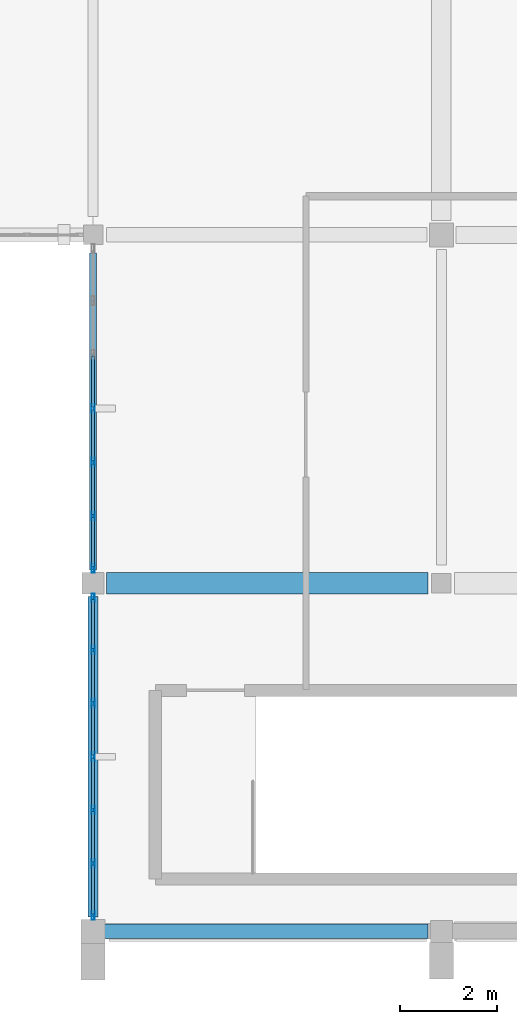
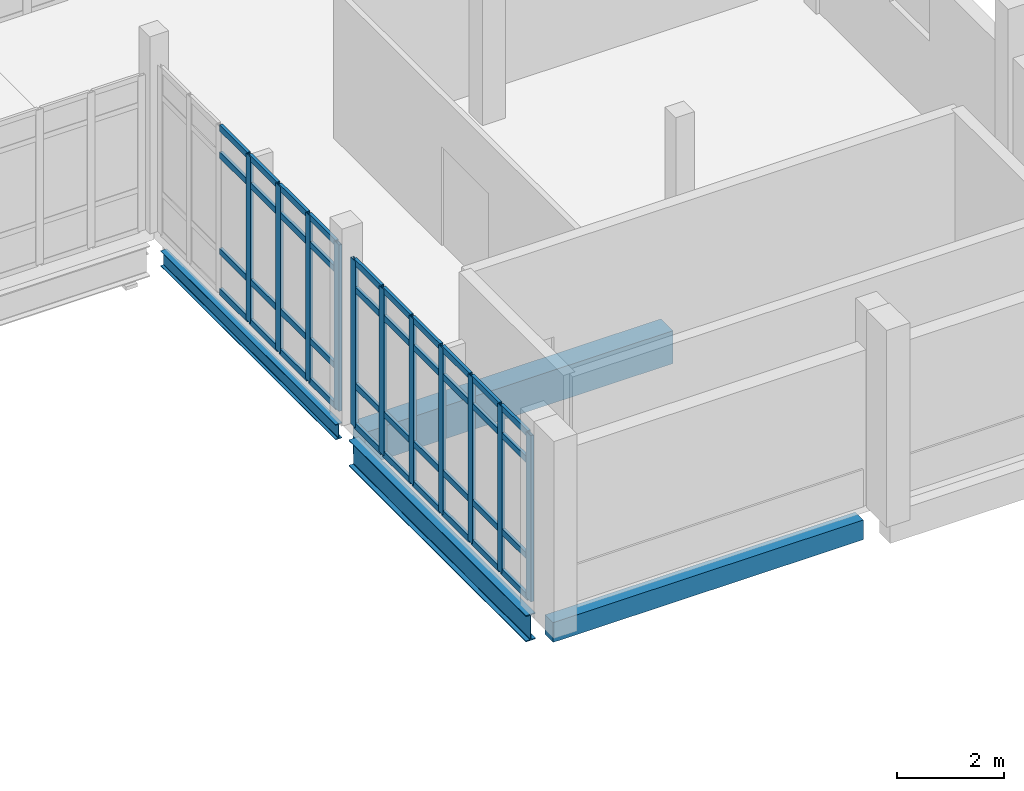
# One storey, part 44 of 116: 51 members, 4 beams, 2 elements without a shape of their own.
"""IFC4 building model written with IfcOpenShell, lengths in metres."""

import ifcopenshell
import ifcopenshell.guid

model = None  # the IFC model being written
_history = None  # IfcOwnerHistory: only IFC2X3 demands one
_inside = {}  # id of a spatial element -> (the spatial element, [elements in it])
_under = {}  # id of a project, library or spatial element -> (it, [spatial elements below it])
_declared = {}  # id of a project -> (the project, [libraries it declares])
_typed = {}  # id of a type object -> (the type object, [elements of that type])
_made_of = {}  # id of a material, layer set ... -> (it, [elements and type objects made of it])


def new_model(schema):
    """Start an empty IFC model of exactly this schema.

    Asked for "IFC4X3", IfcOpenShell would pick the latest addendum, in which some entities
    have other attributes; the version numbers below select the first issue.
    IFC2X3 requires an IfcOwnerHistory on every rooted entity: one is made here for all.
    """
    global model, _history
    if schema == "IFC4X3":
        model = ifcopenshell.file(schema_version=(4, 3, 0, 0))
    else:
        model = ifcopenshell.file(schema=schema)
    _inside.clear()
    _under.clear()
    _declared.clear()
    _typed.clear()
    _made_of.clear()
    _history = None
    if model.schema == "IFC2X3":
        org = make("IfcOrganization", Name="unknown")
        user = make(
            "IfcPersonAndOrganization",
            ThePerson=make("IfcPerson", FamilyName="unknown"),
            TheOrganization=org,
        )
        app = make(
            "IfcApplication",
            ApplicationDeveloper=org,
            Version="unknown",
            ApplicationFullName="unknown",
            ApplicationIdentifier="unknown",
        )
        _history = make(
            "IfcOwnerHistory",
            OwningUser=user,
            OwningApplication=app,
            ChangeAction="ADDED",
            CreationDate=0,
        )
    return model


def make(cls, **values):
    """One entity of the class cls with the attributes given. An attribute that is None is left unset."""
    return model.create_entity(
        cls, **{name: value for name, value in values.items() if value is not None}
    )


def rooted(cls, **values):
    """An entity with a GlobalId (a new one), such as an element, a storey or a relation."""
    return make(cls, GlobalId=ifcopenshell.guid.new(), OwnerHistory=_history, **values)


def si_unit(unit_type, name, prefix=None):
    """IfcSIUnit, for example si_unit("LENGTHUNIT", "METRE", prefix="MILLI")."""
    return make("IfcSIUnit", UnitType=unit_type, Prefix=prefix, Name=name)


def assignment(units):
    """IfcUnitAssignment: the units of a project."""
    return None if units is None else make("IfcUnitAssignment", Units=units)


def point(xyz):
    """IfcCartesianPoint."""
    return None if xyz is None else make("IfcCartesianPoint", Coordinates=xyz)


def direction(xyz):
    """IfcDirection."""
    return None if xyz is None else make("IfcDirection", DirectionRatios=xyz)


def frame(location, z_axis=None, x_axis=None):
    """IfcAxis2Placement3D, a coordinate frame: its origin and axes. An axis left out is left unset."""
    return make(
        "IfcAxis2Placement3D",
        Location=point(location),
        Axis=direction(z_axis),
        RefDirection=direction(x_axis),
    )


def frame_2d(location, x_axis=None):
    """IfcAxis2Placement2D, a coordinate frame in the plane: its origin and x axis."""
    return make(
        "IfcAxis2Placement2D", Location=point(location), RefDirection=direction(x_axis)
    )


def origin():
    """The frame at (0, 0, 0) with its axes left unset."""
    return frame((0.0, 0.0, 0.0))


def origin_2d():
    """The frame at (0, 0) in the plane with its x axis left unset."""
    return frame_2d((0.0, 0.0))


def place(relative_to, where):
    """IfcLocalPlacement: puts the frame where relative to a parent placement (None: the world)."""
    return make(
        "IfcLocalPlacement", PlacementRelTo=relative_to, RelativePlacement=where
    )


def context(
    kind, dimensions, precision=None, world=None, true_north=None, identifier=None
):
    """IfcGeometricRepresentationContext, for example the 3D "Model" context."""
    return make(
        "IfcGeometricRepresentationContext",
        ContextIdentifier=identifier,
        ContextType=kind,
        CoordinateSpaceDimension=dimensions,
        Precision=precision,
        WorldCoordinateSystem=world,
        TrueNorth=true_north,
    )


def subcontext(parent, identifier, kind, view, scale=None):
    """IfcGeometricRepresentationSubContext, for example "Body" below "Model"."""
    return make(
        "IfcGeometricRepresentationSubContext",
        ContextIdentifier=identifier,
        ContextType=kind,
        ParentContext=parent,
        TargetScale=scale,
        TargetView=view,
    )


def project(units=None, contexts=None):
    """IfcProject with its units and contexts."""
    return rooted(
        "IfcProject",
        Name="project",
        RepresentationContexts=contexts,
        UnitsInContext=assignment(units),
    )


def spatial(cls, under=None, at=None, **own):
    """A site, building, storey or space (cls), placed at a placement, below another one or the project."""
    s = rooted(cls, ObjectPlacement=at, **own)
    if under is not None:
        _under.setdefault(under.id(), (under, []))[1].append(s)
    return s


def profile(cls, at=None, kind="AREA", **sizes):
    """A parametric profile (cls). Its sizes go by their IFC names, for example OverallWidth=200.0."""
    return make(cls, ProfileType=kind, Position=at, **sizes)


def rectangle(**sizes):
    """IfcRectangleProfileDef."""
    return profile("IfcRectangleProfileDef", **sizes)


def hollow_rectangle(**sizes):
    """IfcRectangleHollowProfileDef."""
    return profile("IfcRectangleHollowProfileDef", **sizes)


def i_section(**sizes):
    """IfcIShapeProfileDef."""
    return profile("IfcIShapeProfileDef", **sizes)


def extrude(swept, where, along, depth):
    """IfcExtrudedAreaSolid: the profile swept, set in the frame where, extruded along a direction by depth."""
    return make(
        "IfcExtrudedAreaSolid",
        SweptArea=swept,
        Position=where,
        ExtrudedDirection=direction(along),
        Depth=depth,
    )


def shape(context_of_items, identifier, shape_type, items):
    """IfcShapeRepresentation: the items that make up one representation, for example the "Body"."""
    return make(
        "IfcShapeRepresentation",
        ContextOfItems=context_of_items,
        RepresentationIdentifier=identifier,
        RepresentationType=shape_type,
        Items=items,
    )


def material(Name=None, Category=None):
    """IfcMaterial."""
    return make("IfcMaterial", Name=Name, Category=Category)


def material_profile(
    of_material, cross_section, Name=None, Category=None, Priority=None
):
    """IfcMaterialProfile: a cross section and its material."""
    return make(
        "IfcMaterialProfile",
        Name=Name,
        Material=of_material,
        Profile=cross_section,
        Priority=Priority,
        Category=Category,
    )


def profile_set(profiles, Name=None, composite=None):
    """IfcMaterialProfileSet."""
    return make(
        "IfcMaterialProfileSet",
        Name=Name,
        MaterialProfiles=profiles,
        CompositeProfile=composite,
    )


def made_of(thing, what):
    """Note that an element or type object is made of a material, layer set ...; save() writes the relation."""
    if what is not None:
        _made_of.setdefault(what.id(), (what, []))[1].append(thing)
    return thing


def type_object(cls, material=None, **own):
    """A type object (cls), such as IfcWallType, which elements share."""
    return made_of(rooted(cls, **own), material)


def element(
    cls,
    number,
    at=None,
    inside=None,
    cuts=None,
    type_object=None,
    material=None,
    context=None,
    identifier="Body",
    shape_type=None,
    held_by="IfcProductDefinitionShape",
    body=None,
    shapes=None,
    **own,
):
    """One element of the class cls, such as IfcWall. Its Tag is "e" and its number.

    at: its placement. inside: the storey or other place that contains it. cuts: it is an
    opening in that element (IfcRelVoidsElement). A single representation is given by context,
    identifier, shape_type and body (its items); several are given by shapes. held_by: the class
    of the entity that holds the representations. save() writes the other relations.
    """
    e = rooted(cls, Tag="e%d" % number, ObjectPlacement=at, **own)
    if body is not None:
        shapes = [shape(context, identifier, shape_type, body)]
    if shapes is not None:
        e.Representation = make(held_by, Representations=shapes)
    if inside is not None:
        _inside.setdefault(inside.id(), (inside, []))[1].append(e)
    if cuts is not None:
        rooted(
            "IfcRelVoidsElement", RelatingBuildingElement=cuts, RelatedOpeningElement=e
        )
    if type_object is not None:
        _typed.setdefault(type_object.id(), (type_object, []))[1].append(e)
    return made_of(e, material)


def aggregate(whole, parts):
    """IfcRelAggregates: a whole, such as a stair, and the parts it consists of."""
    return rooted("IfcRelAggregates", RelatingObject=whole, RelatedObjects=parts)


def save(model, path):
    """Write the relations noted so far, then the file.

    IfcRelAggregates (storeys below a building ...), IfcRelContainedInSpatialStructure (elements
    in a storey), IfcRelDefinesByType, IfcRelAssociatesMaterial and IfcRelDeclares: one each for
    every whole, place, type object, material and project.
    """
    for whole, parts in _under.values():
        aggregate(whole, parts)
    for where, things in _inside.values():
        rooted(
            "IfcRelContainedInSpatialStructure",
            RelatedElements=things,
            RelatingStructure=where,
        )
    for kind, things in _typed.values():
        rooted("IfcRelDefinesByType", RelatedObjects=things, RelatingType=kind)
    for what, things in _made_of.values():
        rooted("IfcRelAssociatesMaterial", RelatedObjects=things, RelatingMaterial=what)
    for by, libraries in _declared.values():
        rooted("IfcRelDeclares", RelatingContext=by, RelatedDefinitions=libraries)
    model.write(path)


model = new_model("IFC4")

# Units and contexts
model_context = context("Model", 3, precision=1e-05, world=origin(), true_north=direction((0.0, 1.0)))
body_context = subcontext(model_context, "Body", "Model", "MODEL_VIEW")
ifc_project = project(units=[si_unit("LENGTHUNIT", "METRE"), si_unit("AREAUNIT", "SQUARE_METRE"), si_unit("VOLUMEUNIT", "CUBIC_METRE"), si_unit("PLANEANGLEUNIT", "RADIAN"), si_unit("MASSUNIT", "GRAM", prefix="KILO")], contexts=[model_context])

# Site, building, storey
site_placement = place(None, origin())
site = spatial("IfcSite", under=ifc_project, at=site_placement, CompositionType="ELEMENT")
building_placement = place(site_placement, origin())
building = spatial("IfcBuilding", under=site, at=building_placement, Name="Kalluvel Institute of Natural Sciences", CompositionType="ELEMENT")
storey_placement = place(building_placement, frame((0.0, 0.0, 14.39990234375)))
storey = spatial("IfcBuildingStorey", under=building, at=storey_placement, Name="L03", CompositionType="ELEMENT", Elevation=14.39990234375)

# Beams
ifc_material_1 = material(Name="Steel E350 Grade 350", Category="steel")
ifc_material_profile_1 = material_profile(ifc_material_1, i_section(OverallWidth=0.139892578125, OverallDepth=0.35009765625, WebThickness=0.008056640625, FlangeThickness=0.01416015625, FilletRadius=0.013916015625, at=origin_2d()), Name="ISMB 350")
ifc_profile_set_1 = profile_set([ifc_material_profile_1], Name="Steel E350 Grade 350")
beam_type_1 = type_object("IfcBeamType", Name="BM-ISMB350", PredefinedType="BEAM", material=ifc_profile_set_1)
beam_1_placement = place(storey_placement, frame((100.39990234375, 21.47509765625, -0.494873046875), z_axis=(0.0, 1.0, 0.0), x_axis=(-1.0, 0.0, 0.0)))
element("IfcBeam", 1, at=beam_1_placement, inside=storey, type_object=beam_type_1, Name="L03 girder GIR-L03-NS-X1004-Y212", PredefinedType="BEAM", context=body_context, shape_type="SweptSolid", body=[
    extrude(i_section(OverallWidth=0.139892578125, OverallDepth=0.35009765625, WebThickness=0.008056640625, FlangeThickness=0.01416015625, FilletRadius=0.013916015625, at=origin_2d()), origin(), (0.0, 0.0, 1.0), 6.5498046875),
])
ifc_material_profile_2 = material_profile(ifc_material_1, i_section(OverallWidth=0.2099609375, OverallDepth=0.60009765625, WebThickness=0.011962890625, FlangeThickness=0.020751953125, FilletRadius=0.02001953125, at=origin_2d()), Name="ISMB 600")
ifc_profile_set_2 = profile_set([ifc_material_profile_2], Name="Steel E350 Grade 350")
beam_type_2 = type_object("IfcBeamType", Name="BM-ISMB600", PredefinedType="BEAM", material=ifc_profile_set_2)
beam_2_placement = place(storey_placement, frame((100.39990234375, 14.300048828125, -0.619873046875), z_axis=(0.0, 1.0, 0.0), x_axis=(-1.0, 0.0, 0.0)))
element("IfcBeam", 2, at=beam_2_placement, inside=storey, type_object=beam_type_2, Name="L03 girder GIR-L03-NS-X1004-Y140", PredefinedType="BEAM", context=body_context, shape_type="SweptSolid", body=[
    extrude(i_section(OverallWidth=0.2099609375, OverallDepth=0.60009765625, WebThickness=0.011962890625, FlangeThickness=0.020751953125, FilletRadius=0.02001953125, at=origin_2d()), origin(), (0.0, 0.0, 1.0), 6.625),
])
ifc_material_2 = material(Name="Concrete M40", Category="concrete")
ifc_material_profile_3 = material_profile(ifc_material_2, rectangle(XDim=0.449951171875, YDim=0.75, at=origin_2d()), Name="RCB 450x750")
ifc_profile_set_3 = profile_set([ifc_material_profile_3], Name="Concrete M40")
beam_type_3 = type_object("IfcBeamType", Name="BM-RC450x750", PredefinedType="BEAM", material=ifc_profile_set_3)
beam_3_placement = place(storey_placement, frame((100.675048828125, 21.199951171875, -0.69482421875), z_axis=(1.0, 0.0, 0.0), x_axis=(0.0, 1.0, 0.0)))
element("IfcBeam", 3, at=beam_3_placement, inside=storey, type_object=beam_type_3, Name="L03 girder GIR-L03-EW-X1004-Y212", PredefinedType="BEAM", context=body_context, shape_type="SweptSolid", body=[
    extrude(rectangle(XDim=0.449951171875, YDim=0.75, at=origin_2d()), origin(), (0.0, 0.0, 1.0), 6.64990234375),
])

# Curtain wall, members
ifc_material_3 = material(Name="Aluminium AW-6063 T6", Category="aluminium")
curtain_wall_type = type_object("IfcCurtainWallType", Name="CW-SPAV-45", PredefinedType="USERDEFINED", material=ifc_material_3)
curtain_wall_1_placement = place(storey_placement, origin())
curtain_wall_1 = element("IfcCurtainWall", 4, at=curtain_wall_1_placement, inside=storey, type_object=curtain_wall_type, Name="L03 Gothic lancet curtain wall CWA-L03-X1004-Y143", ObjectType="UNITISED LANCET FACADE", PredefinedType="USERDEFINED")
ifc_material_profile_4 = material_profile(ifc_material_3, hollow_rectangle(XDim=0.06494140625, YDim=0.179931640625, WallThickness=0.00439453125, at=origin_2d()), Name="CWM 65x180")
ifc_profile_set_4 = profile_set([ifc_material_profile_4], Name="Aluminium AW-6063 T6")
member_type_1 = type_object("IfcMemberType", Name="CWM-65x180", PredefinedType="MULLION", material=ifc_profile_set_4)
member_1_placement = place(storey_placement, frame((100.39990234375, 14.33251953125, 0.0), z_axis=(0.0, 0.0, 1.0), x_axis=(-1.0, 0.0, 0.0)))
member_1 = element("IfcMember", 5, at=member_1_placement, type_object=member_type_1, Name="CW-10 mullion 1", PredefinedType="MULLION", context=body_context, shape_type="SweptSolid", body=[
    extrude(hollow_rectangle(XDim=0.06494140625, YDim=0.179931640625, WallThickness=0.00439453125, at=origin_2d()), origin(), (0.0, 0.0, 1.0), 3.800048828125),
])
member_2_placement = place(storey_placement, frame((100.39990234375, 15.404052734375, 0.0), z_axis=(0.0, 0.0, 1.0), x_axis=(-1.0, 0.0, 0.0)))
member_2 = element("IfcMember", 6, at=member_2_placement, type_object=member_type_1, Name="CW-10 mullion 2", PredefinedType="MULLION", context=body_context, shape_type="SweptSolid", body=[
    extrude(hollow_rectangle(XDim=0.06494140625, YDim=0.179931640625, WallThickness=0.00439453125, at=origin_2d()), origin(), (0.0, 0.0, 1.0), 3.800048828125),
])
member_3_placement = place(storey_placement, frame((100.39990234375, 16.50830078125, 0.0), z_axis=(0.0, 0.0, 1.0), x_axis=(-1.0, 0.0, 0.0)))
member_3 = element("IfcMember", 7, at=member_3_placement, type_object=member_type_1, Name="CW-10 mullion 3", PredefinedType="MULLION", context=body_context, shape_type="SweptSolid", body=[
    extrude(hollow_rectangle(XDim=0.06494140625, YDim=0.179931640625, WallThickness=0.00439453125, at=origin_2d()), origin(), (0.0, 0.0, 1.0), 3.800048828125),
])
member_4_placement = place(storey_placement, frame((100.39990234375, 17.612548828125, 0.0), z_axis=(0.0, 0.0, 1.0), x_axis=(-1.0, 0.0, 0.0)))
member_4 = element("IfcMember", 8, at=member_4_placement, type_object=member_type_1, Name="CW-10 mullion 4", PredefinedType="MULLION", context=body_context, shape_type="SweptSolid", body=[
    extrude(hollow_rectangle(XDim=0.06494140625, YDim=0.179931640625, WallThickness=0.00439453125, at=origin_2d()), origin(), (0.0, 0.0, 1.0), 3.800048828125),
])
member_5_placement = place(storey_placement, frame((100.39990234375, 18.716552734375, 0.0), z_axis=(0.0, 0.0, 1.0), x_axis=(-1.0, 0.0, 0.0)))
member_5 = element("IfcMember", 9, at=member_5_placement, type_object=member_type_1, Name="CW-10 mullion 5", PredefinedType="MULLION", context=body_context, shape_type="SweptSolid", body=[
    extrude(hollow_rectangle(XDim=0.06494140625, YDim=0.179931640625, WallThickness=0.00439453125, at=origin_2d()), origin(), (0.0, 0.0, 1.0), 3.800048828125),
])
member_6_placement = place(storey_placement, frame((100.39990234375, 19.82080078125, 0.0), z_axis=(0.0, 0.0, 1.0), x_axis=(-1.0, 0.0, 0.0)))
member_6 = element("IfcMember", 10, at=member_6_placement, type_object=member_type_1, Name="CW-10 mullion 6", PredefinedType="MULLION", context=body_context, shape_type="SweptSolid", body=[
    extrude(hollow_rectangle(XDim=0.06494140625, YDim=0.179931640625, WallThickness=0.00439453125, at=origin_2d()), origin(), (0.0, 0.0, 1.0), 3.800048828125),
])
member_7_placement = place(storey_placement, frame((100.39990234375, 20.892578125, 0.0), z_axis=(0.0, 0.0, 1.0), x_axis=(-1.0, 0.0, 0.0)))
member_7 = element("IfcMember", 11, at=member_7_placement, type_object=member_type_1, Name="CW-10 mullion 7", PredefinedType="MULLION", context=body_context, shape_type="SweptSolid", body=[
    extrude(hollow_rectangle(XDim=0.06494140625, YDim=0.179931640625, WallThickness=0.00439453125, at=origin_2d()), origin(), (0.0, 0.0, 1.0), 3.800048828125),
])

curtain_wall_2_placement = place(storey_placement, origin())
curtain_wall_2 = element("IfcCurtainWall", 12, at=curtain_wall_2_placement, inside=storey, type_object=curtain_wall_type, Name="L03 Gothic lancet curtain wall CWA-L03-X1004-Y215", ObjectType="UNITISED LANCET FACADE", PredefinedType="USERDEFINED")
member_8_placement = place(storey_placement, frame((100.39990234375, 21.507568359375, 0.0), z_axis=(0.0, 0.0, 1.0), x_axis=(-1.0, 0.0, 0.0)))
member_8 = element("IfcMember", 13, at=member_8_placement, type_object=member_type_1, Name="CW-10 mullion 1", PredefinedType="MULLION", context=body_context, shape_type="SweptSolid", body=[
    extrude(hollow_rectangle(XDim=0.06494140625, YDim=0.179931640625, WallThickness=0.00439453125, at=origin_2d()), origin(), (0.0, 0.0, 1.0), 3.800048828125),
])
member_9_placement = place(storey_placement, frame((100.39990234375, 22.58740234375, 0.0), z_axis=(0.0, 0.0, 1.0), x_axis=(-1.0, 0.0, 0.0)))
member_9 = element("IfcMember", 14, at=member_9_placement, type_object=member_type_1, Name="CW-10 mullion 2", PredefinedType="MULLION", context=body_context, shape_type="SweptSolid", body=[
    extrude(hollow_rectangle(XDim=0.06494140625, YDim=0.179931640625, WallThickness=0.00439453125, at=origin_2d()), origin(), (0.0, 0.0, 1.0), 3.800048828125),
])
member_10_placement = place(storey_placement, frame((100.39990234375, 23.699951171875, 0.0), z_axis=(0.0, 0.0, 1.0), x_axis=(-1.0, 0.0, 0.0)))
member_10 = element("IfcMember", 15, at=member_10_placement, type_object=member_type_1, Name="CW-10 mullion 3", PredefinedType="MULLION", context=body_context, shape_type="SweptSolid", body=[
    extrude(hollow_rectangle(XDim=0.06494140625, YDim=0.179931640625, WallThickness=0.00439453125, at=origin_2d()), origin(), (0.0, 0.0, 1.0), 3.800048828125),
])
member_11_placement = place(storey_placement, frame((100.39990234375, 24.8125, 0.0), z_axis=(0.0, 0.0, 1.0), x_axis=(-1.0, 0.0, 0.0)))
member_11 = element("IfcMember", 16, at=member_11_placement, type_object=member_type_1, Name="CW-10 mullion 4", PredefinedType="MULLION", context=body_context, shape_type="SweptSolid", body=[
    extrude(hollow_rectangle(XDim=0.06494140625, YDim=0.179931640625, WallThickness=0.00439453125, at=origin_2d()), origin(), (0.0, 0.0, 1.0), 3.800048828125),
])

# Member
ifc_material_profile_5 = material_profile(ifc_material_3, hollow_rectangle(XDim=0.06494140625, YDim=0.139892578125, WallThickness=0.00439453125, at=origin_2d()), Name="CWT 65x140")
ifc_profile_set_5 = profile_set([ifc_material_profile_5], Name="Aluminium AW-6063 T6")
member_type_2 = type_object("IfcMemberType", Name="CWT-65x140", PredefinedType="USERDEFINED", material=ifc_profile_set_5)
member_12_placement = place(storey_placement, frame((100.39990234375, 14.364990234375, 0.03271484375), z_axis=(0.0, 1.0, 0.0), x_axis=(-1.0, 0.0, 0.0)))
member_12 = element("IfcMember", 17, at=member_12_placement, type_object=member_type_2, Name="CW-10 transom 1.1", ObjectType="TRANSOM", PredefinedType="USERDEFINED", context=body_context, shape_type="SweptSolid", body=[
    extrude(hollow_rectangle(XDim=0.06494140625, YDim=0.139892578125, WallThickness=0.00439453125, at=origin_2d()), origin(), (0.0, 0.0, 1.0), 1.006591796875),
])

member_13_placement = place(storey_placement, frame((100.39990234375, 14.364990234375, 0.9501953125), z_axis=(0.0, 1.0, 0.0), x_axis=(-1.0, 0.0, 0.0)))
member_13 = element("IfcMember", 18, at=member_13_placement, type_object=member_type_2, Name="CW-10 transom 1.2", ObjectType="TRANSOM", PredefinedType="USERDEFINED", context=body_context, shape_type="SweptSolid", body=[
    extrude(hollow_rectangle(XDim=0.06494140625, YDim=0.139892578125, WallThickness=0.00439453125, at=origin_2d()), origin(), (0.0, 0.0, 1.0), 1.006591796875),
])

member_14_placement = place(storey_placement, frame((100.39990234375, 14.364990234375, 3.150146484375), z_axis=(0.0, 1.0, 0.0), x_axis=(-1.0, 0.0, 0.0)))
member_14 = element("IfcMember", 19, at=member_14_placement, type_object=member_type_2, Name="CW-10 transom 1.3", ObjectType="TRANSOM", PredefinedType="USERDEFINED", context=body_context, shape_type="SweptSolid", body=[
    extrude(hollow_rectangle(XDim=0.06494140625, YDim=0.139892578125, WallThickness=0.00439453125, at=origin_2d()), origin(), (0.0, 0.0, 1.0), 1.006591796875),
])

member_15_placement = place(storey_placement, frame((100.39990234375, 14.364990234375, 3.767578125), z_axis=(0.0, 1.0, 0.0), x_axis=(-1.0, 0.0, 0.0)))
member_15 = element("IfcMember", 20, at=member_15_placement, type_object=member_type_2, Name="CW-10 transom 1.4", ObjectType="TRANSOM", PredefinedType="USERDEFINED", context=body_context, shape_type="SweptSolid", body=[
    extrude(hollow_rectangle(XDim=0.06494140625, YDim=0.139892578125, WallThickness=0.00439453125, at=origin_2d()), origin(), (0.0, 0.0, 1.0), 1.006591796875),
])

member_16_placement = place(storey_placement, frame((100.39990234375, 15.436767578125, 0.03271484375), z_axis=(0.0, 1.0, 0.0), x_axis=(-1.0, 0.0, 0.0)))
member_16 = element("IfcMember", 21, at=member_16_placement, type_object=member_type_2, Name="CW-10 transom 2.1", ObjectType="TRANSOM", PredefinedType="USERDEFINED", context=body_context, shape_type="SweptSolid", body=[
    extrude(hollow_rectangle(XDim=0.06494140625, YDim=0.139892578125, WallThickness=0.00439453125, at=origin_2d()), origin(), (0.0, 0.0, 1.0), 1.0390625),
])

member_17_placement = place(storey_placement, frame((100.39990234375, 15.436767578125, 0.9501953125), z_axis=(0.0, 1.0, 0.0), x_axis=(-1.0, 0.0, 0.0)))
member_17 = element("IfcMember", 22, at=member_17_placement, type_object=member_type_2, Name="CW-10 transom 2.2", ObjectType="TRANSOM", PredefinedType="USERDEFINED", context=body_context, shape_type="SweptSolid", body=[
    extrude(hollow_rectangle(XDim=0.06494140625, YDim=0.139892578125, WallThickness=0.00439453125, at=origin_2d()), origin(), (0.0, 0.0, 1.0), 1.0390625),
])

member_18_placement = place(storey_placement, frame((100.39990234375, 15.436767578125, 3.150146484375), z_axis=(0.0, 1.0, 0.0), x_axis=(-1.0, 0.0, 0.0)))
member_18 = element("IfcMember", 23, at=member_18_placement, type_object=member_type_2, Name="CW-10 transom 2.3", ObjectType="TRANSOM", PredefinedType="USERDEFINED", context=body_context, shape_type="SweptSolid", body=[
    extrude(hollow_rectangle(XDim=0.06494140625, YDim=0.139892578125, WallThickness=0.00439453125, at=origin_2d()), origin(), (0.0, 0.0, 1.0), 1.0390625),
])

member_19_placement = place(storey_placement, frame((100.39990234375, 15.436767578125, 3.767578125), z_axis=(0.0, 1.0, 0.0), x_axis=(-1.0, 0.0, 0.0)))
member_19 = element("IfcMember", 24, at=member_19_placement, type_object=member_type_2, Name="CW-10 transom 2.4", ObjectType="TRANSOM", PredefinedType="USERDEFINED", context=body_context, shape_type="SweptSolid", body=[
    extrude(hollow_rectangle(XDim=0.06494140625, YDim=0.139892578125, WallThickness=0.00439453125, at=origin_2d()), origin(), (0.0, 0.0, 1.0), 1.0390625),
])

member_20_placement = place(storey_placement, frame((100.39990234375, 16.540771484375, 0.03271484375), z_axis=(0.0, 1.0, 0.0), x_axis=(-1.0, 0.0, 0.0)))
member_20 = element("IfcMember", 25, at=member_20_placement, type_object=member_type_2, Name="CW-10 transom 3.1", ObjectType="TRANSOM", PredefinedType="USERDEFINED", context=body_context, shape_type="SweptSolid", body=[
    extrude(hollow_rectangle(XDim=0.06494140625, YDim=0.139892578125, WallThickness=0.00439453125, at=origin_2d()), origin(), (0.0, 0.0, 1.0), 1.039306640625),
])

member_21_placement = place(storey_placement, frame((100.39990234375, 16.540771484375, 0.9501953125), z_axis=(0.0, 1.0, 0.0), x_axis=(-1.0, 0.0, 0.0)))
member_21 = element("IfcMember", 26, at=member_21_placement, type_object=member_type_2, Name="CW-10 transom 3.2", ObjectType="TRANSOM", PredefinedType="USERDEFINED", context=body_context, shape_type="SweptSolid", body=[
    extrude(hollow_rectangle(XDim=0.06494140625, YDim=0.139892578125, WallThickness=0.00439453125, at=origin_2d()), origin(), (0.0, 0.0, 1.0), 1.039306640625),
])

member_22_placement = place(storey_placement, frame((100.39990234375, 16.540771484375, 3.150146484375), z_axis=(0.0, 1.0, 0.0), x_axis=(-1.0, 0.0, 0.0)))
member_22 = element("IfcMember", 27, at=member_22_placement, type_object=member_type_2, Name="CW-10 transom 3.3", ObjectType="TRANSOM", PredefinedType="USERDEFINED", context=body_context, shape_type="SweptSolid", body=[
    extrude(hollow_rectangle(XDim=0.06494140625, YDim=0.139892578125, WallThickness=0.00439453125, at=origin_2d()), origin(), (0.0, 0.0, 1.0), 1.039306640625),
])

member_23_placement = place(storey_placement, frame((100.39990234375, 16.540771484375, 3.767578125), z_axis=(0.0, 1.0, 0.0), x_axis=(-1.0, 0.0, 0.0)))
member_23 = element("IfcMember", 28, at=member_23_placement, type_object=member_type_2, Name="CW-10 transom 3.4", ObjectType="TRANSOM", PredefinedType="USERDEFINED", context=body_context, shape_type="SweptSolid", body=[
    extrude(hollow_rectangle(XDim=0.06494140625, YDim=0.139892578125, WallThickness=0.00439453125, at=origin_2d()), origin(), (0.0, 0.0, 1.0), 1.039306640625),
])

member_24_placement = place(storey_placement, frame((100.39990234375, 17.64501953125, 0.03271484375), z_axis=(0.0, 1.0, 0.0), x_axis=(-1.0, 0.0, 0.0)))
member_24 = element("IfcMember", 29, at=member_24_placement, type_object=member_type_2, Name="CW-10 transom 4.1", ObjectType="TRANSOM", PredefinedType="USERDEFINED", context=body_context, shape_type="SweptSolid", body=[
    extrude(hollow_rectangle(XDim=0.06494140625, YDim=0.139892578125, WallThickness=0.00439453125, at=origin_2d()), origin(), (0.0, 0.0, 1.0), 1.0390625),
])

member_25_placement = place(storey_placement, frame((100.39990234375, 17.64501953125, 0.9501953125), z_axis=(0.0, 1.0, 0.0), x_axis=(-1.0, 0.0, 0.0)))
member_25 = element("IfcMember", 30, at=member_25_placement, type_object=member_type_2, Name="CW-10 transom 4.2", ObjectType="TRANSOM", PredefinedType="USERDEFINED", context=body_context, shape_type="SweptSolid", body=[
    extrude(hollow_rectangle(XDim=0.06494140625, YDim=0.139892578125, WallThickness=0.00439453125, at=origin_2d()), origin(), (0.0, 0.0, 1.0), 1.0390625),
])

member_26_placement = place(storey_placement, frame((100.39990234375, 17.64501953125, 3.150146484375), z_axis=(0.0, 1.0, 0.0), x_axis=(-1.0, 0.0, 0.0)))
member_26 = element("IfcMember", 31, at=member_26_placement, type_object=member_type_2, Name="CW-10 transom 4.3", ObjectType="TRANSOM", PredefinedType="USERDEFINED", context=body_context, shape_type="SweptSolid", body=[
    extrude(hollow_rectangle(XDim=0.06494140625, YDim=0.139892578125, WallThickness=0.00439453125, at=origin_2d()), origin(), (0.0, 0.0, 1.0), 1.0390625),
])

member_27_placement = place(storey_placement, frame((100.39990234375, 17.64501953125, 3.767578125), z_axis=(0.0, 1.0, 0.0), x_axis=(-1.0, 0.0, 0.0)))
member_27 = element("IfcMember", 32, at=member_27_placement, type_object=member_type_2, Name="CW-10 transom 4.4", ObjectType="TRANSOM", PredefinedType="USERDEFINED", context=body_context, shape_type="SweptSolid", body=[
    extrude(hollow_rectangle(XDim=0.06494140625, YDim=0.139892578125, WallThickness=0.00439453125, at=origin_2d()), origin(), (0.0, 0.0, 1.0), 1.0390625),
])

member_28_placement = place(storey_placement, frame((100.39990234375, 18.749267578125, 0.03271484375), z_axis=(0.0, 1.0, 0.0), x_axis=(-1.0, 0.0, 0.0)))
member_28 = element("IfcMember", 33, at=member_28_placement, type_object=member_type_2, Name="CW-10 transom 5.1", ObjectType="TRANSOM", PredefinedType="USERDEFINED", context=body_context, shape_type="SweptSolid", body=[
    extrude(hollow_rectangle(XDim=0.06494140625, YDim=0.139892578125, WallThickness=0.00439453125, at=origin_2d()), origin(), (0.0, 0.0, 1.0), 1.0390625),
])

member_29_placement = place(storey_placement, frame((100.39990234375, 18.749267578125, 0.9501953125), z_axis=(0.0, 1.0, 0.0), x_axis=(-1.0, 0.0, 0.0)))
member_29 = element("IfcMember", 34, at=member_29_placement, type_object=member_type_2, Name="CW-10 transom 5.2", ObjectType="TRANSOM", PredefinedType="USERDEFINED", context=body_context, shape_type="SweptSolid", body=[
    extrude(hollow_rectangle(XDim=0.06494140625, YDim=0.139892578125, WallThickness=0.00439453125, at=origin_2d()), origin(), (0.0, 0.0, 1.0), 1.0390625),
])

member_30_placement = place(storey_placement, frame((100.39990234375, 18.749267578125, 3.150146484375), z_axis=(0.0, 1.0, 0.0), x_axis=(-1.0, 0.0, 0.0)))
member_30 = element("IfcMember", 35, at=member_30_placement, type_object=member_type_2, Name="CW-10 transom 5.3", ObjectType="TRANSOM", PredefinedType="USERDEFINED", context=body_context, shape_type="SweptSolid", body=[
    extrude(hollow_rectangle(XDim=0.06494140625, YDim=0.139892578125, WallThickness=0.00439453125, at=origin_2d()), origin(), (0.0, 0.0, 1.0), 1.0390625),
])

member_31_placement = place(storey_placement, frame((100.39990234375, 18.749267578125, 3.767578125), z_axis=(0.0, 1.0, 0.0), x_axis=(-1.0, 0.0, 0.0)))
member_31 = element("IfcMember", 36, at=member_31_placement, type_object=member_type_2, Name="CW-10 transom 5.4", ObjectType="TRANSOM", PredefinedType="USERDEFINED", context=body_context, shape_type="SweptSolid", body=[
    extrude(hollow_rectangle(XDim=0.06494140625, YDim=0.139892578125, WallThickness=0.00439453125, at=origin_2d()), origin(), (0.0, 0.0, 1.0), 1.0390625),
])

member_32_placement = place(storey_placement, frame((100.39990234375, 19.853271484375, 0.03271484375), z_axis=(0.0, 1.0, 0.0), x_axis=(-1.0, 0.0, 0.0)))
member_32 = element("IfcMember", 37, at=member_32_placement, type_object=member_type_2, Name="CW-10 transom 6.1", ObjectType="TRANSOM", PredefinedType="USERDEFINED", context=body_context, shape_type="SweptSolid", body=[
    extrude(hollow_rectangle(XDim=0.06494140625, YDim=0.139892578125, WallThickness=0.00439453125, at=origin_2d()), origin(), (0.0, 0.0, 1.0), 1.0068359375),
])

member_33_placement = place(storey_placement, frame((100.39990234375, 19.853271484375, 0.9501953125), z_axis=(0.0, 1.0, 0.0), x_axis=(-1.0, 0.0, 0.0)))
member_33 = element("IfcMember", 38, at=member_33_placement, type_object=member_type_2, Name="CW-10 transom 6.2", ObjectType="TRANSOM", PredefinedType="USERDEFINED", context=body_context, shape_type="SweptSolid", body=[
    extrude(hollow_rectangle(XDim=0.06494140625, YDim=0.139892578125, WallThickness=0.00439453125, at=origin_2d()), origin(), (0.0, 0.0, 1.0), 1.0068359375),
])

member_34_placement = place(storey_placement, frame((100.39990234375, 19.853271484375, 3.150146484375), z_axis=(0.0, 1.0, 0.0), x_axis=(-1.0, 0.0, 0.0)))
member_34 = element("IfcMember", 39, at=member_34_placement, type_object=member_type_2, Name="CW-10 transom 6.3", ObjectType="TRANSOM", PredefinedType="USERDEFINED", context=body_context, shape_type="SweptSolid", body=[
    extrude(hollow_rectangle(XDim=0.06494140625, YDim=0.139892578125, WallThickness=0.00439453125, at=origin_2d()), origin(), (0.0, 0.0, 1.0), 1.0068359375),
])

member_35_placement = place(storey_placement, frame((100.39990234375, 19.853271484375, 3.767578125), z_axis=(0.0, 1.0, 0.0), x_axis=(-1.0, 0.0, 0.0)))
member_35 = element("IfcMember", 40, at=member_35_placement, type_object=member_type_2, Name="CW-10 transom 6.4", ObjectType="TRANSOM", PredefinedType="USERDEFINED", context=body_context, shape_type="SweptSolid", body=[
    extrude(hollow_rectangle(XDim=0.06494140625, YDim=0.139892578125, WallThickness=0.00439453125, at=origin_2d()), origin(), (0.0, 0.0, 1.0), 1.0068359375),
])

aggregate(curtain_wall_1, [member_1, member_2, member_3, member_4, member_5, member_6, member_7, member_12, member_13, member_14, member_15, member_16, member_17, member_18, member_19, member_20, member_21, member_22, member_23, member_24, member_25, member_26, member_27, member_28, member_29, member_30, member_31, member_32, member_33, member_34, member_35])

member_36_placement = place(storey_placement, frame((100.39990234375, 21.5400390625, 0.03271484375), z_axis=(0.0, 1.0, 0.0), x_axis=(-1.0, 0.0, 0.0)))
member_36 = element("IfcMember", 41, at=member_36_placement, type_object=member_type_2, Name="CW-10 transom 1.1", ObjectType="TRANSOM", PredefinedType="USERDEFINED", context=body_context, shape_type="SweptSolid", body=[
    extrude(hollow_rectangle(XDim=0.06494140625, YDim=0.139892578125, WallThickness=0.00439453125, at=origin_2d()), origin(), (0.0, 0.0, 1.0), 1.014892578125),
])

member_37_placement = place(storey_placement, frame((100.39990234375, 21.5400390625, 0.9501953125), z_axis=(0.0, 1.0, 0.0), x_axis=(-1.0, 0.0, 0.0)))
member_37 = element("IfcMember", 42, at=member_37_placement, type_object=member_type_2, Name="CW-10 transom 1.2", ObjectType="TRANSOM", PredefinedType="USERDEFINED", context=body_context, shape_type="SweptSolid", body=[
    extrude(hollow_rectangle(XDim=0.06494140625, YDim=0.139892578125, WallThickness=0.00439453125, at=origin_2d()), origin(), (0.0, 0.0, 1.0), 1.014892578125),
])

member_38_placement = place(storey_placement, frame((100.39990234375, 21.5400390625, 3.150146484375), z_axis=(0.0, 1.0, 0.0), x_axis=(-1.0, 0.0, 0.0)))
member_38 = element("IfcMember", 43, at=member_38_placement, type_object=member_type_2, Name="CW-10 transom 1.3", ObjectType="TRANSOM", PredefinedType="USERDEFINED", context=body_context, shape_type="SweptSolid", body=[
    extrude(hollow_rectangle(XDim=0.06494140625, YDim=0.139892578125, WallThickness=0.00439453125, at=origin_2d()), origin(), (0.0, 0.0, 1.0), 1.014892578125),
])

member_39_placement = place(storey_placement, frame((100.39990234375, 21.5400390625, 3.767578125), z_axis=(0.0, 1.0, 0.0), x_axis=(-1.0, 0.0, 0.0)))
member_39 = element("IfcMember", 44, at=member_39_placement, type_object=member_type_2, Name="CW-10 transom 1.4", ObjectType="TRANSOM", PredefinedType="USERDEFINED", context=body_context, shape_type="SweptSolid", body=[
    extrude(hollow_rectangle(XDim=0.06494140625, YDim=0.139892578125, WallThickness=0.00439453125, at=origin_2d()), origin(), (0.0, 0.0, 1.0), 1.014892578125),
])

member_40_placement = place(storey_placement, frame((100.39990234375, 22.6201171875, 0.03271484375), z_axis=(0.0, 1.0, 0.0), x_axis=(-1.0, 0.0, 0.0)))
member_40 = element("IfcMember", 45, at=member_40_placement, type_object=member_type_2, Name="CW-10 transom 2.1", ObjectType="TRANSOM", PredefinedType="USERDEFINED", context=body_context, shape_type="SweptSolid", body=[
    extrude(hollow_rectangle(XDim=0.06494140625, YDim=0.139892578125, WallThickness=0.00439453125, at=origin_2d()), origin(), (0.0, 0.0, 1.0), 1.04736328125),
])

member_41_placement = place(storey_placement, frame((100.39990234375, 22.6201171875, 0.9501953125), z_axis=(0.0, 1.0, 0.0), x_axis=(-1.0, 0.0, 0.0)))
member_41 = element("IfcMember", 46, at=member_41_placement, type_object=member_type_2, Name="CW-10 transom 2.2", ObjectType="TRANSOM", PredefinedType="USERDEFINED", context=body_context, shape_type="SweptSolid", body=[
    extrude(hollow_rectangle(XDim=0.06494140625, YDim=0.139892578125, WallThickness=0.00439453125, at=origin_2d()), origin(), (0.0, 0.0, 1.0), 1.04736328125),
])

member_42_placement = place(storey_placement, frame((100.39990234375, 22.6201171875, 3.150146484375), z_axis=(0.0, 1.0, 0.0), x_axis=(-1.0, 0.0, 0.0)))
member_42 = element("IfcMember", 47, at=member_42_placement, type_object=member_type_2, Name="CW-10 transom 2.3", ObjectType="TRANSOM", PredefinedType="USERDEFINED", context=body_context, shape_type="SweptSolid", body=[
    extrude(hollow_rectangle(XDim=0.06494140625, YDim=0.139892578125, WallThickness=0.00439453125, at=origin_2d()), origin(), (0.0, 0.0, 1.0), 1.04736328125),
])

member_43_placement = place(storey_placement, frame((100.39990234375, 22.6201171875, 3.767578125), z_axis=(0.0, 1.0, 0.0), x_axis=(-1.0, 0.0, 0.0)))
member_43 = element("IfcMember", 48, at=member_43_placement, type_object=member_type_2, Name="CW-10 transom 2.4", ObjectType="TRANSOM", PredefinedType="USERDEFINED", context=body_context, shape_type="SweptSolid", body=[
    extrude(hollow_rectangle(XDim=0.06494140625, YDim=0.139892578125, WallThickness=0.00439453125, at=origin_2d()), origin(), (0.0, 0.0, 1.0), 1.04736328125),
])

member_44_placement = place(storey_placement, frame((100.39990234375, 23.732421875, 0.03271484375), z_axis=(0.0, 1.0, 0.0), x_axis=(-1.0, 0.0, 0.0)))
member_44 = element("IfcMember", 49, at=member_44_placement, type_object=member_type_2, Name="CW-10 transom 3.1", ObjectType="TRANSOM", PredefinedType="USERDEFINED", context=body_context, shape_type="SweptSolid", body=[
    extrude(hollow_rectangle(XDim=0.06494140625, YDim=0.139892578125, WallThickness=0.00439453125, at=origin_2d()), origin(), (0.0, 0.0, 1.0), 1.047607421875),
])

member_45_placement = place(storey_placement, frame((100.39990234375, 23.732421875, 0.9501953125), z_axis=(0.0, 1.0, 0.0), x_axis=(-1.0, 0.0, 0.0)))
member_45 = element("IfcMember", 50, at=member_45_placement, type_object=member_type_2, Name="CW-10 transom 3.2", ObjectType="TRANSOM", PredefinedType="USERDEFINED", context=body_context, shape_type="SweptSolid", body=[
    extrude(hollow_rectangle(XDim=0.06494140625, YDim=0.139892578125, WallThickness=0.00439453125, at=origin_2d()), origin(), (0.0, 0.0, 1.0), 1.047607421875),
])

member_46_placement = place(storey_placement, frame((100.39990234375, 23.732421875, 3.150146484375), z_axis=(0.0, 1.0, 0.0), x_axis=(-1.0, 0.0, 0.0)))
member_46 = element("IfcMember", 51, at=member_46_placement, type_object=member_type_2, Name="CW-10 transom 3.3", ObjectType="TRANSOM", PredefinedType="USERDEFINED", context=body_context, shape_type="SweptSolid", body=[
    extrude(hollow_rectangle(XDim=0.06494140625, YDim=0.139892578125, WallThickness=0.00439453125, at=origin_2d()), origin(), (0.0, 0.0, 1.0), 1.047607421875),
])

member_47_placement = place(storey_placement, frame((100.39990234375, 23.732421875, 3.767578125), z_axis=(0.0, 1.0, 0.0), x_axis=(-1.0, 0.0, 0.0)))
member_47 = element("IfcMember", 52, at=member_47_placement, type_object=member_type_2, Name="CW-10 transom 3.4", ObjectType="TRANSOM", PredefinedType="USERDEFINED", context=body_context, shape_type="SweptSolid", body=[
    extrude(hollow_rectangle(XDim=0.06494140625, YDim=0.139892578125, WallThickness=0.00439453125, at=origin_2d()), origin(), (0.0, 0.0, 1.0), 1.047607421875),
])

member_48_placement = place(storey_placement, frame((100.39990234375, 24.844970703125, 0.03271484375), z_axis=(0.0, 1.0, 0.0), x_axis=(-1.0, 0.0, 0.0)))
member_48 = element("IfcMember", 53, at=member_48_placement, type_object=member_type_2, Name="CW-10 transom 4.1", ObjectType="TRANSOM", PredefinedType="USERDEFINED", context=body_context, shape_type="SweptSolid", body=[
    extrude(hollow_rectangle(XDim=0.06494140625, YDim=0.139892578125, WallThickness=0.00439453125, at=origin_2d()), origin(), (0.0, 0.0, 1.0), 1.047607421875),
])

member_49_placement = place(storey_placement, frame((100.39990234375, 24.844970703125, 0.9501953125), z_axis=(0.0, 1.0, 0.0), x_axis=(-1.0, 0.0, 0.0)))
member_49 = element("IfcMember", 54, at=member_49_placement, type_object=member_type_2, Name="CW-10 transom 4.2", ObjectType="TRANSOM", PredefinedType="USERDEFINED", context=body_context, shape_type="SweptSolid", body=[
    extrude(hollow_rectangle(XDim=0.06494140625, YDim=0.139892578125, WallThickness=0.00439453125, at=origin_2d()), origin(), (0.0, 0.0, 1.0), 1.047607421875),
])

member_50_placement = place(storey_placement, frame((100.39990234375, 24.844970703125, 3.150146484375), z_axis=(0.0, 1.0, 0.0), x_axis=(-1.0, 0.0, 0.0)))
member_50 = element("IfcMember", 55, at=member_50_placement, type_object=member_type_2, Name="CW-10 transom 4.3", ObjectType="TRANSOM", PredefinedType="USERDEFINED", context=body_context, shape_type="SweptSolid", body=[
    extrude(hollow_rectangle(XDim=0.06494140625, YDim=0.139892578125, WallThickness=0.00439453125, at=origin_2d()), origin(), (0.0, 0.0, 1.0), 1.047607421875),
])

member_51_placement = place(storey_placement, frame((100.39990234375, 24.844970703125, 3.767578125), z_axis=(0.0, 1.0, 0.0), x_axis=(-1.0, 0.0, 0.0)))
member_51 = element("IfcMember", 56, at=member_51_placement, type_object=member_type_2, Name="CW-10 transom 4.4", ObjectType="TRANSOM", PredefinedType="USERDEFINED", context=body_context, shape_type="SweptSolid", body=[
    extrude(hollow_rectangle(XDim=0.06494140625, YDim=0.139892578125, WallThickness=0.00439453125, at=origin_2d()), origin(), (0.0, 0.0, 1.0), 1.047607421875),
])

aggregate(curtain_wall_2, [member_8, member_9, member_10, member_11, member_36, member_37, member_38, member_39, member_40, member_41, member_42, member_43, member_44, member_45, member_46, member_47, member_48, member_49, member_50, member_51])

# Beam
ifc_material_profile_6 = material_profile(ifc_material_2, rectangle(XDim=0.300048828125, YDim=0.449951171875, at=origin_2d()), Name="RCB 300x450")
ifc_profile_set_6 = profile_set([ifc_material_profile_6], Name="Concrete M40")
beam_type_4 = type_object("IfcBeamType", Name="SP-RC300x450", PredefinedType="SPANDREL", material=ifc_profile_set_6)
beam_4_placement = place(storey_placement, frame((100.625, 14.0, -0.544921875), z_axis=(1.0, 0.0, 0.0), x_axis=(0.0, 1.0, 0.0)))
element("IfcBeam", 57, at=beam_4_placement, inside=storey, type_object=beam_type_4, Name="L03 girder GIR-L03-EW-X1004-Y140", PredefinedType="SPANDREL", context=body_context, shape_type="SweptSolid", body=[
    extrude(rectangle(XDim=0.300048828125, YDim=0.449951171875, at=origin_2d()), origin(), (0.0, 0.0, 1.0), 6.699951171875),
])

save(model, "model.ifc")
